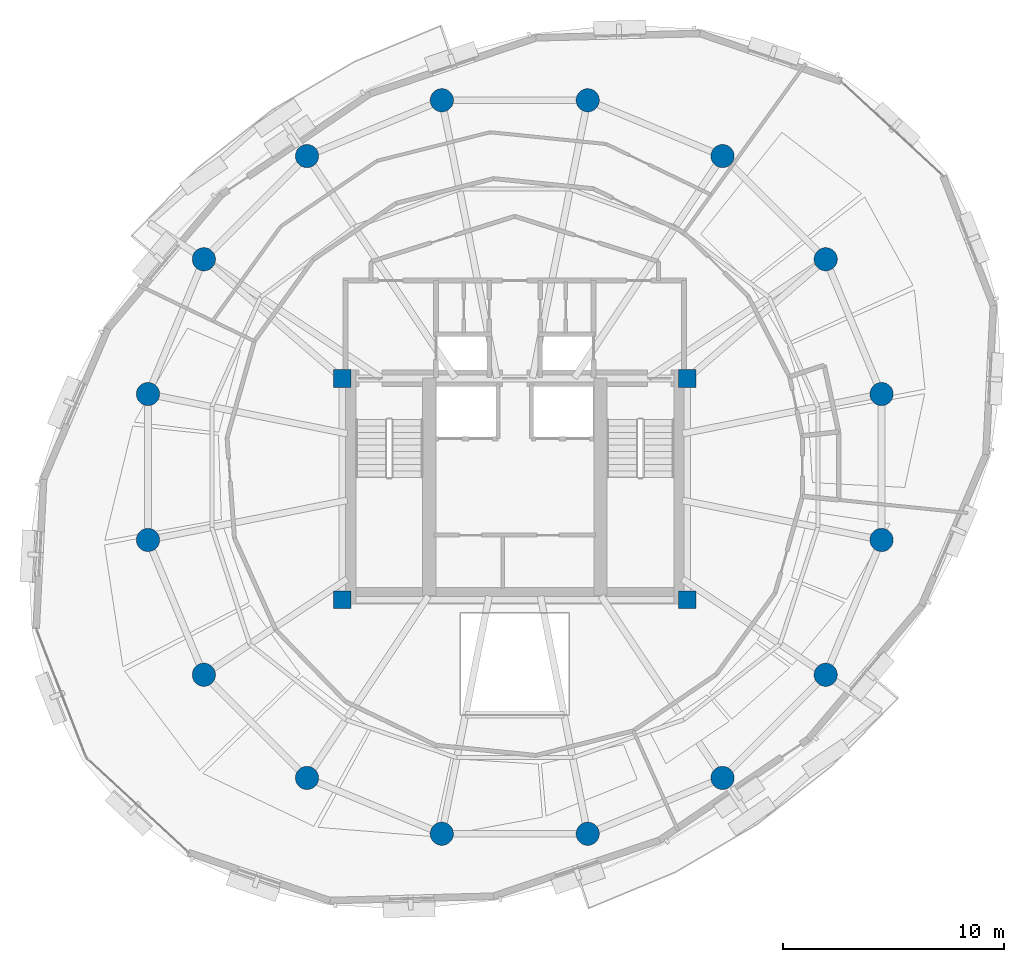
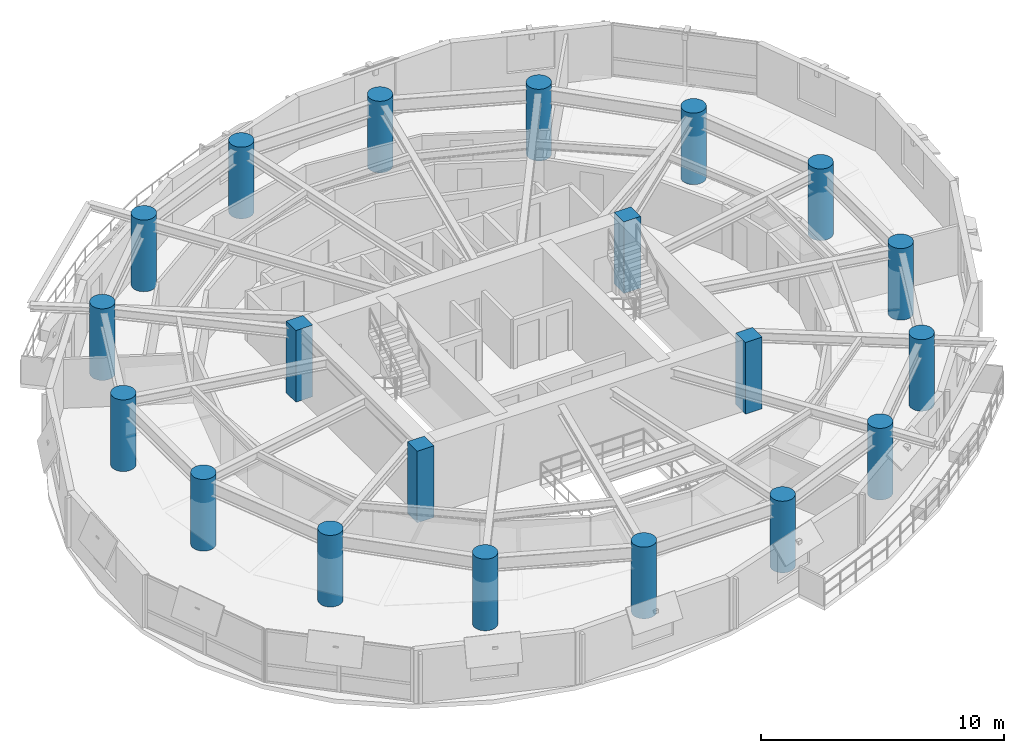
# One storey, part 1 of 12: 20 columns.
"""IFC4 building model written with IfcOpenShell, lengths in metres."""

from ifc_helpers import new_model, si_unit, direction, frame, origin, origin_2d, place, context, subcontext, project, spatial, rectangle, circle, extrude, material, material_profile, profile_set, type_object, element, save


model = new_model("IFC4")

# Units and contexts
model_context = context("Model", 3, precision=1e-05, world=origin(), true_north=direction((0.0, 1.0)))
body_context = subcontext(model_context, "Body", "Model", "MODEL_VIEW")
ifc_project = project(units=[si_unit("LENGTHUNIT", "METRE"), si_unit("AREAUNIT", "SQUARE_METRE"), si_unit("VOLUMEUNIT", "CUBIC_METRE"), si_unit("PLANEANGLEUNIT", "RADIAN"), si_unit("MASSUNIT", "GRAM", prefix="KILO"), si_unit("THERMODYNAMICTEMPERATUREUNIT", "KELVIN"), si_unit("POWERUNIT", "WATT")], contexts=[model_context])

# Site, building, storey
site_placement = place(None, origin())
site = spatial("IfcSite", under=ifc_project, at=site_placement, CompositionType="ELEMENT")
building_placement = place(site_placement, origin())
building = spatial("IfcBuilding", under=site, at=building_placement, Name="Ocrelia Relay Tower", CompositionType="ELEMENT")
storey_placement = place(building_placement, frame((0.0, 0.0, 177.199951171875)))
storey = spatial("IfcBuildingStorey", under=building, at=storey_placement, Name="L42", CompositionType="ELEMENT", Elevation=177.199951171875)

# Columns
ifc_material = material(Name="Concrete C60/75", Category="concrete")
ifc_material_profile_1 = material_profile(ifc_material, circle(Radius=0.52490234375, at=origin_2d()), Name="RC-CIR-1050")
ifc_profile_set_1 = profile_set([ifc_material_profile_1], Name="Concrete C60/75")
column_type_1 = type_object("IfcColumnType", Name="COL-CT-1050", PredefinedType="COLUMN", material=ifc_profile_set_1)
for number, where, z_axis, x_axis, name in (
    (1, (50.5751953125, 29.297119140625, 0.0), (0.0, 0.0, 1.0), (1.0, 0.0, 0.0), "L42 Perimeter Ring Column C01"),
    (2, (48.0517578125, 35.38916015625, 0.0), (0.0, 0.0, 1.0), (1.0, 0.0, 0.0), "L42 Perimeter Ring Column C02"),
    (3, (43.38916015625, 40.0517578125, 0.0), (0.0, 0.0, 1.0), (1.0, 0.0, 0.0), "L42 Perimeter Ring Column C03"),
    (4, (37.297119140625, 42.5751953125, 0.0), (0.0, 0.0, 1.0), (1.0, 0.0, 0.0), "L42 Perimeter Ring Column C04"),
    (5, (30.702880859375, 42.5751953125, 0.0), (0.0, 0.0, 1.0), (1.0, 0.0, 0.0), "L42 Perimeter Ring Column C05"),
    (6, (24.61083984375, 40.0517578125, 0.0), (0.0, 0.0, 1.0), (1.0, 0.0, 0.0), "L42 Perimeter Ring Column C06"),
    (7, (19.9482421875, 35.38916015625, 0.0), (0.0, 0.0, 1.0), (1.0, 0.0, 0.0), "L42 Perimeter Ring Column C07"),
    (8, (17.4248046875, 29.297119140625, 0.0), (0.0, 0.0, 1.0), (1.0, 0.0, 0.0), "L42 Perimeter Ring Column C08"),
    (9, (17.4248046875, 22.702880859375, 0.0), (0.0, 0.0, 1.0), (1.0, 0.0, 0.0), "L42 Perimeter Ring Column C09"),
    (10, (19.9482421875, 16.61083984375, 0.0), (0.0, 0.0, 1.0), (1.0, 0.0, 0.0), "L42 Perimeter Ring Column C10"),
    (11, (24.61083984375, 11.9482421875, 0.0), (0.0, 0.0, 1.0), (1.0, 0.0, 0.0), "L42 Perimeter Ring Column C11"),
    (12, (30.702880859375, 9.4248046875, 0.0), (0.0, 0.0, 1.0), (1.0, 0.0, 0.0), "L42 Perimeter Ring Column C12"),
    (13, (37.297119140625, 9.4248046875, 0.0), (0.0, 0.0, 1.0), (1.0, 0.0, 0.0), "L42 Perimeter Ring Column C13"),
    (14, (43.38916015625, 11.9482421875, 0.0), (0.0, 0.0, 1.0), (1.0, 0.0, 0.0), "L42 Perimeter Ring Column C14"),
    (15, (48.0517578125, 16.61083984375, 0.0), (0.0, 0.0, 1.0), (1.0, 0.0, 0.0), "L42 Perimeter Ring Column C15"),
    (16, (50.5751953125, 22.702880859375, 0.0), (0.0, 0.0, 1.0), (1.0, 0.0, 0.0), "L42 Perimeter Ring Column C16"),
):
    element("IfcColumn", number, at=place(storey_placement, frame(where, z_axis=z_axis, x_axis=x_axis)), inside=storey, type_object=column_type_1, Name=name, PredefinedType="COLUMN", context=body_context, shape_type="SweptSolid", body=[
        extrude(circle(Radius=0.52490234375, at=origin_2d()), origin(), (0.0, 0.0, 1.0), 3.60009765625),
    ])
ifc_material_profile_2 = material_profile(ifc_material, rectangle(XDim=0.800048828125, YDim=0.800048828125, at=origin_2d()), Name="RC-COL-800x800")
ifc_profile_set_2 = profile_set([ifc_material_profile_2], Name="Concrete C60/75")
column_type_2 = type_object("IfcColumnType", Name="COL-PILASTER-800", PredefinedType="PILASTER", material=ifc_profile_set_2)
for number, where, z_axis, x_axis, name in (
    (17, (26.199951171875, 20.0, 0.0), (0.0, 0.0, 1.0), (1.0, 0.0, 0.0), "L42 Core Corner Pilaster SW"),
    (18, (41.800048828125, 20.0, 0.0), (0.0, 0.0, 1.0), (1.0, 0.0, 0.0), "L42 Core Corner Pilaster SE"),
    (19, (26.199951171875, 30.0, 0.0), (0.0, 0.0, 1.0), (1.0, 0.0, 0.0), "L42 Core Corner Pilaster NW"),
    (20, (41.800048828125, 30.0, 0.0), (0.0, 0.0, 1.0), (1.0, 0.0, 0.0), "L42 Core Corner Pilaster NE"),
):
    element("IfcColumn", number, at=place(storey_placement, frame(where, z_axis=z_axis, x_axis=x_axis)), inside=storey, type_object=column_type_2, Name=name, PredefinedType="PILASTER", context=body_context, shape_type="SweptSolid", body=[
        extrude(rectangle(XDim=0.800048828125, YDim=0.800048828125, at=origin_2d()), origin(), (0.0, 0.0, 1.0), 3.60009765625),
    ])

save(model, "model.ifc")
